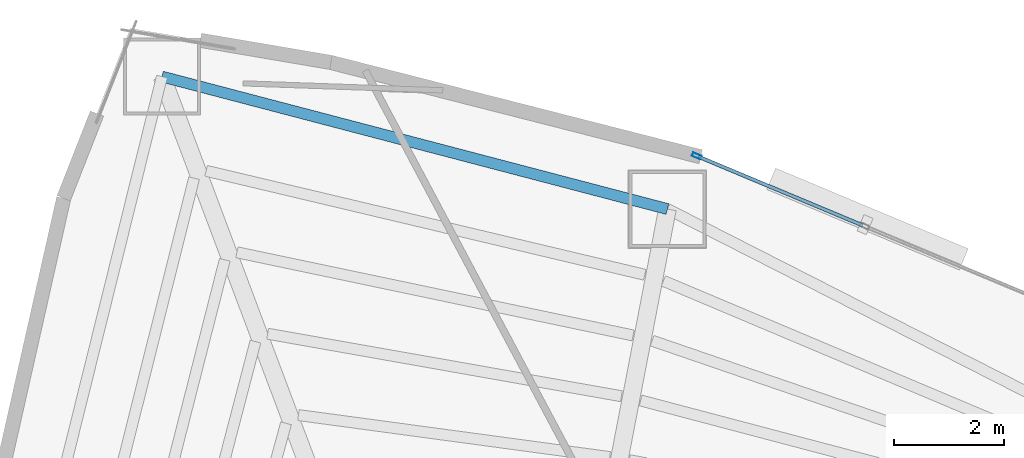
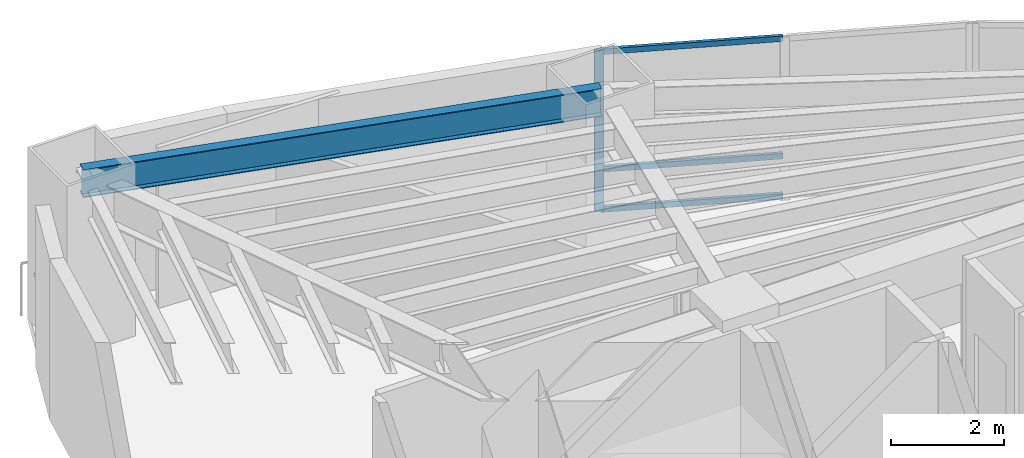
# One storey, part 9 of 18: 4 members, 1 beam, 1 element without a shape of its own.
"""IFC4 building model written with IfcOpenShell, lengths in metres."""

from ifc_helpers import new_model, si_unit, direction, frame, origin, origin_2d, place, context, subcontext, project, spatial, hollow_rectangle, i_section, extrude, material, layer, layer_set, material_profile, profile_set, type_object, element, aggregate, save


model = new_model("IFC4")

# Units and contexts
model_context = context("Model", 3, precision=1e-05, world=origin(), true_north=direction((0.0, 1.0)))
body_context = subcontext(model_context, "Body", "Model", "MODEL_VIEW")
ifc_project = project(units=[si_unit("LENGTHUNIT", "METRE"), si_unit("AREAUNIT", "SQUARE_METRE"), si_unit("VOLUMEUNIT", "CUBIC_METRE"), si_unit("PLANEANGLEUNIT", "RADIAN"), si_unit("MASSUNIT", "GRAM", prefix="KILO")], contexts=[model_context])

# Site, building, storey
site_placement = place(None, origin())
site = spatial("IfcSite", under=ifc_project, at=site_placement, CompositionType="ELEMENT")
building_placement = place(site_placement, origin())
building = spatial("IfcBuilding", under=site, at=building_placement, Name="Menara Vayukalpa", CompositionType="ELEMENT")
storey_placement = place(building_placement, frame((0.0, 0.0, 31.320068359375)))
storey = spatial("IfcBuildingStorey", under=building, at=storey_placement, Name="L06", CompositionType="ELEMENT", Elevation=31.320068359375)

# Beam
ifc_material_1 = material(Name="Steel S355", Category="steel")
ifc_material_profile_1 = material_profile(ifc_material_1, i_section(OverallWidth=0.199951171875, OverallDepth=0.60009765625, WebThickness=0.010986328125, FlangeThickness=0.01708984375, at=origin_2d()), Name="WF 600x200x11x17")
ifc_profile_set_1 = profile_set([ifc_material_profile_1], Name="Steel S355")
beam_type = type_object("IfcBeamType", Name="BM-SP1", PredefinedType="SPANDREL", material=ifc_profile_set_1)
beam_placement = place(storey_placement, frame((23.41943359375, 33.9228515625, 3.169921875), z_axis=(-0.967331024421, 0.253516644802, 0.0), x_axis=(-0.253516644802, -0.967331024421, 0.0)))
element("IfcBeam", 1, at=beam_placement, inside=storey, type_object=beam_type, Name="L06 Perimeter Spandrel Beam SP03", PredefinedType="SPANDREL", context=body_context, shape_type="SweptSolid", body=[
    extrude(i_section(OverallWidth=0.199951171875, OverallDepth=0.60009765625, WebThickness=0.010986328125, FlangeThickness=0.01708984375, at=origin_2d()), origin(), (0.0, 0.0, 1.0), 9.5126953125),
])

# Curtain wall, members
ifc_material_2 = material(Name="Anodised Terracotta Aluminium Alloy 6063-T6", Category="masonry")
ifc_layer = layer(ifc_material_2, 0.1650390625)
ifc_layer_set = layer_set([ifc_layer], Name="Anodised Terracotta Aluminium Alloy 6063-T6")
curtain_wall_type = type_object("IfcCurtainWallType", Name="CW-CW2", PredefinedType="USERDEFINED", material=ifc_layer_set)
curtain_wall_placement = place(storey_placement, origin())
curtain_wall = element("IfcCurtainWall", 2, at=curtain_wall_placement, inside=storey, type_object=curtain_wall_type, Name="L06 Low Rise Terracotta Ribbon Curtain Wall CW2 05", ObjectType="UNITISED", PredefinedType="USERDEFINED")
ifc_material_3 = material(Name="Anodised Terracotta Aluminium Alloy 6063-T6", Category="masonry")
ifc_material_profile_2 = material_profile(ifc_material_3, hollow_rectangle(XDim=0.070068359375, YDim=0.1650390625, WallThickness=0.00390625, at=origin_2d()), Name="ALU 70x165x4")
ifc_profile_set_2 = profile_set([ifc_material_profile_2], Name="Anodised Terracotta Aluminium Alloy 6063-T6")
member_type_1 = type_object("IfcMemberType", Name="CWM-CW2", PredefinedType="MULLION", material=ifc_profile_set_2)
member_1_placement = place(storey_placement, frame((23.950927734375, 34.889404296875, 0.0), z_axis=(0.0, 0.0, 1.0), x_axis=(-0.385895120445, -0.922542658101, 0.0)))
member_1 = element("IfcMember", 3, at=member_1_placement, type_object=member_type_1, Name="CW2 mullion 3", PredefinedType="MULLION", context=body_context, shape_type="SweptSolid", body=[
    extrude(hollow_rectangle(XDim=0.070068359375, YDim=0.1650390625, WallThickness=0.00390625, at=origin_2d()), origin(), (0.0, 0.0, 1.0), 3.469970703125),
])
ifc_material_4 = material(Name="Anodised Terracotta Aluminium Alloy 6063-T6", Category="masonry")
ifc_material_profile_3 = material_profile(ifc_material_4, hollow_rectangle(XDim=0.06494140625, YDim=0.1201171875, WallThickness=0.00341796875, at=origin_2d()), Name="ALU 65x120x3.5")
ifc_profile_set_3 = profile_set([ifc_material_profile_3], Name="Anodised Terracotta Aluminium Alloy 6063-T6")
member_type_2 = type_object("IfcMemberType", Name="CWT-CW2", PredefinedType="USERDEFINED", material=ifc_profile_set_3)
member_2_placement = place(storey_placement, frame((26.974609375, 33.624755859375, 0.032470703125), z_axis=(-0.922552588381, 0.385871379699, 0.0), x_axis=(-0.385871379699, -0.922552588381, 0.0)))
member_2 = element("IfcMember", 4, at=member_2_placement, type_object=member_type_2, Name="CW2 transom 2.1", ObjectType="TRANSOM", PredefinedType="USERDEFINED", context=body_context, shape_type="SweptSolid", body=[
    extrude(hollow_rectangle(XDim=0.06494140625, YDim=0.1201171875, WallThickness=0.00341796875, at=origin_2d()), origin(), (0.0, 0.0, 1.0), 3.24267578125),
])
member_3_placement = place(storey_placement, frame((26.974609375, 33.624755859375, 0.89990234375), z_axis=(-0.922552588381, 0.385871379699, 0.0), x_axis=(-0.385871379699, -0.922552588381, 0.0)))
member_3 = element("IfcMember", 5, at=member_3_placement, type_object=member_type_2, Name="CW2 transom 2.2", ObjectType="TRANSOM", PredefinedType="USERDEFINED", context=body_context, shape_type="SweptSolid", body=[
    extrude(hollow_rectangle(XDim=0.06494140625, YDim=0.1201171875, WallThickness=0.00341796875, at=origin_2d()), origin(), (0.0, 0.0, 1.0), 3.24267578125),
])
member_4_placement = place(storey_placement, frame((26.974609375, 33.624755859375, 3.4375), z_axis=(-0.922552588381, 0.385871379699, 0.0), x_axis=(-0.385871379699, -0.922552588381, 0.0)))
member_4 = element("IfcMember", 6, at=member_4_placement, type_object=member_type_2, Name="CW2 transom 2.3", ObjectType="TRANSOM", PredefinedType="USERDEFINED", context=body_context, shape_type="SweptSolid", body=[
    extrude(hollow_rectangle(XDim=0.06494140625, YDim=0.1201171875, WallThickness=0.00341796875, at=origin_2d()), origin(), (0.0, 0.0, 1.0), 3.24267578125),
])
aggregate(curtain_wall, [member_1, member_2, member_3, member_4])

save(model, "model.ifc")
